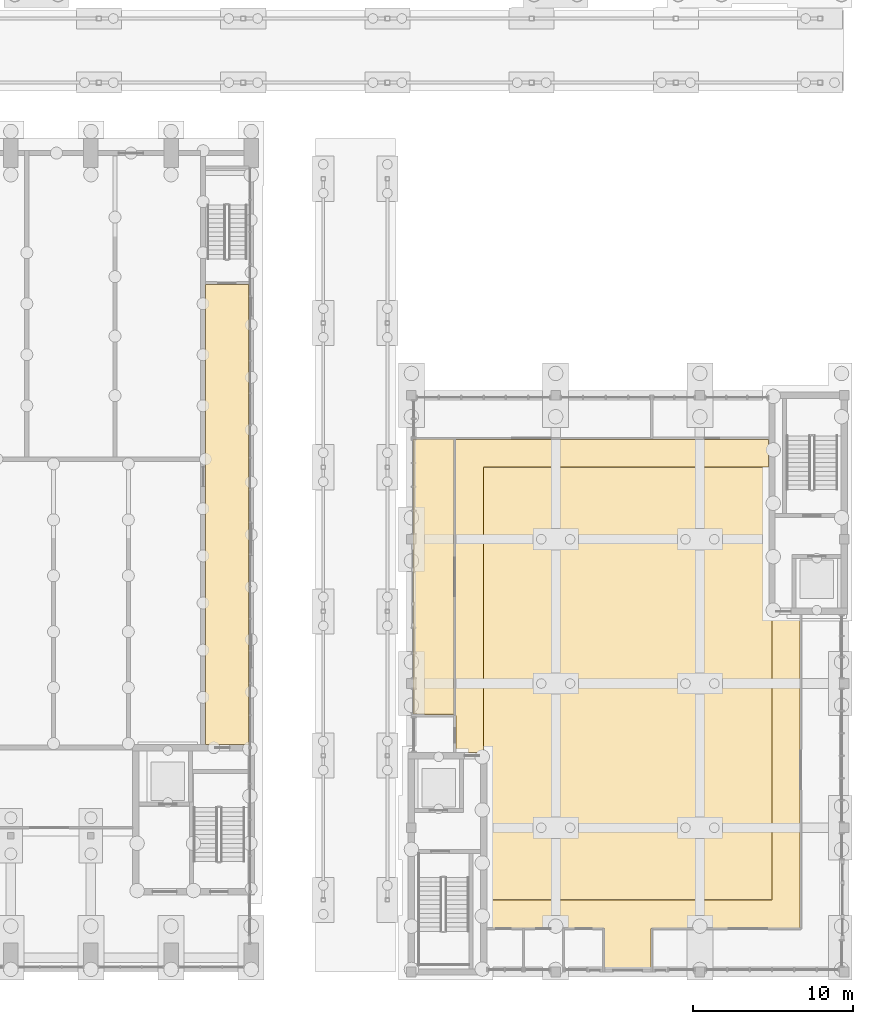
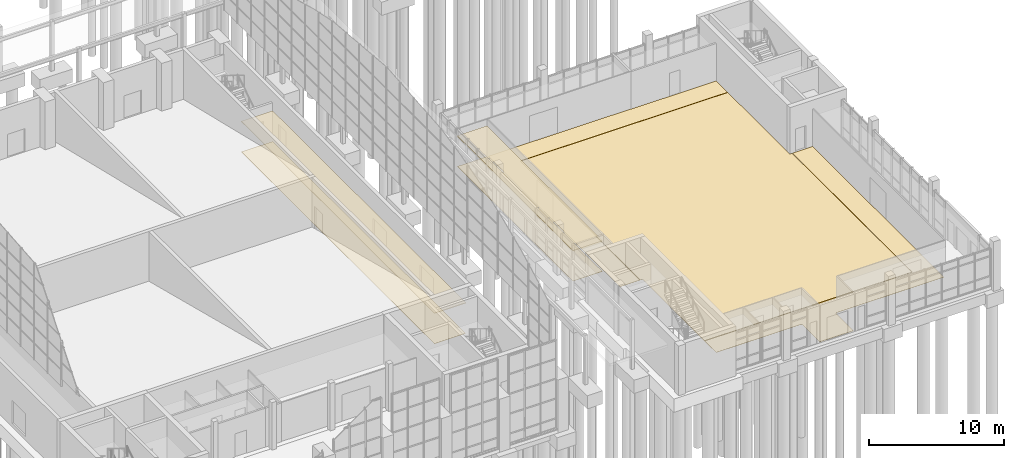
# One storey, part 86 of 106: 7 coverings.
"""IFC4 building model written with IfcOpenShell, lengths in metres."""

import ifcopenshell
import ifcopenshell.guid

model = None  # the IFC model being written
_history = None  # IfcOwnerHistory: only IFC2X3 demands one
_inside = {}  # id of a spatial element -> (the spatial element, [elements in it])
_under = {}  # id of a project, library or spatial element -> (it, [spatial elements below it])
_declared = {}  # id of a project -> (the project, [libraries it declares])
_typed = {}  # id of a type object -> (the type object, [elements of that type])
_made_of = {}  # id of a material, layer set ... -> (it, [elements and type objects made of it])


def new_model(schema):
    """Start an empty IFC model of exactly this schema.

    Asked for "IFC4X3", IfcOpenShell would pick the latest addendum, in which some entities
    have other attributes; the version numbers below select the first issue.
    IFC2X3 requires an IfcOwnerHistory on every rooted entity: one is made here for all.
    """
    global model, _history
    if schema == "IFC4X3":
        model = ifcopenshell.file(schema_version=(4, 3, 0, 0))
    else:
        model = ifcopenshell.file(schema=schema)
    _inside.clear()
    _under.clear()
    _declared.clear()
    _typed.clear()
    _made_of.clear()
    _history = None
    if model.schema == "IFC2X3":
        org = make("IfcOrganization", Name="unknown")
        user = make(
            "IfcPersonAndOrganization",
            ThePerson=make("IfcPerson", FamilyName="unknown"),
            TheOrganization=org,
        )
        app = make(
            "IfcApplication",
            ApplicationDeveloper=org,
            Version="unknown",
            ApplicationFullName="unknown",
            ApplicationIdentifier="unknown",
        )
        _history = make(
            "IfcOwnerHistory",
            OwningUser=user,
            OwningApplication=app,
            ChangeAction="ADDED",
            CreationDate=0,
        )
    return model


def make(cls, **values):
    """One entity of the class cls with the attributes given. An attribute that is None is left unset."""
    return model.create_entity(
        cls, **{name: value for name, value in values.items() if value is not None}
    )


def rooted(cls, **values):
    """An entity with a GlobalId (a new one), such as an element, a storey or a relation."""
    return make(cls, GlobalId=ifcopenshell.guid.new(), OwnerHistory=_history, **values)


def si_unit(unit_type, name, prefix=None):
    """IfcSIUnit, for example si_unit("LENGTHUNIT", "METRE", prefix="MILLI")."""
    return make("IfcSIUnit", UnitType=unit_type, Prefix=prefix, Name=name)


def assignment(units):
    """IfcUnitAssignment: the units of a project."""
    return None if units is None else make("IfcUnitAssignment", Units=units)


def point(xyz):
    """IfcCartesianPoint."""
    return None if xyz is None else make("IfcCartesianPoint", Coordinates=xyz)


def direction(xyz):
    """IfcDirection."""
    return None if xyz is None else make("IfcDirection", DirectionRatios=xyz)


def frame(location, z_axis=None, x_axis=None):
    """IfcAxis2Placement3D, a coordinate frame: its origin and axes. An axis left out is left unset."""
    return make(
        "IfcAxis2Placement3D",
        Location=point(location),
        Axis=direction(z_axis),
        RefDirection=direction(x_axis),
    )


def origin():
    """The frame at (0, 0, 0) with its axes left unset."""
    return frame((0.0, 0.0, 0.0))


def place(relative_to, where):
    """IfcLocalPlacement: puts the frame where relative to a parent placement (None: the world)."""
    return make(
        "IfcLocalPlacement", PlacementRelTo=relative_to, RelativePlacement=where
    )


def context(
    kind, dimensions, precision=None, world=None, true_north=None, identifier=None
):
    """IfcGeometricRepresentationContext, for example the 3D "Model" context."""
    return make(
        "IfcGeometricRepresentationContext",
        ContextIdentifier=identifier,
        ContextType=kind,
        CoordinateSpaceDimension=dimensions,
        Precision=precision,
        WorldCoordinateSystem=world,
        TrueNorth=true_north,
    )


def subcontext(parent, identifier, kind, view, scale=None):
    """IfcGeometricRepresentationSubContext, for example "Body" below "Model"."""
    return make(
        "IfcGeometricRepresentationSubContext",
        ContextIdentifier=identifier,
        ContextType=kind,
        ParentContext=parent,
        TargetScale=scale,
        TargetView=view,
    )


def project(units=None, contexts=None):
    """IfcProject with its units and contexts."""
    return rooted(
        "IfcProject",
        Name="project",
        RepresentationContexts=contexts,
        UnitsInContext=assignment(units),
    )


def spatial(cls, under=None, at=None, **own):
    """A site, building, storey or space (cls), placed at a placement, below another one or the project."""
    s = rooted(cls, ObjectPlacement=at, **own)
    if under is not None:
        _under.setdefault(under.id(), (under, []))[1].append(s)
    return s


def polyline(points):
    """IfcPolyline through the points."""
    return make("IfcPolyline", Points=[point(p) for p in points])


def outline(outer, holes=None, kind="AREA"):
    """IfcArbitraryClosedProfileDef: a profile drawn as a closed curve; with holes, ...WithVoids."""
    if holes is None:
        return make("IfcArbitraryClosedProfileDef", ProfileType=kind, OuterCurve=outer)
    return make(
        "IfcArbitraryProfileDefWithVoids",
        ProfileType=kind,
        OuterCurve=outer,
        InnerCurves=holes,
    )


def extrude(swept, where, along, depth):
    """IfcExtrudedAreaSolid: the profile swept, set in the frame where, extruded along a direction by depth."""
    return make(
        "IfcExtrudedAreaSolid",
        SweptArea=swept,
        Position=where,
        ExtrudedDirection=direction(along),
        Depth=depth,
    )


def shape(context_of_items, identifier, shape_type, items):
    """IfcShapeRepresentation: the items that make up one representation, for example the "Body"."""
    return make(
        "IfcShapeRepresentation",
        ContextOfItems=context_of_items,
        RepresentationIdentifier=identifier,
        RepresentationType=shape_type,
        Items=items,
    )


def material(Name=None, Category=None):
    """IfcMaterial."""
    return make("IfcMaterial", Name=Name, Category=Category)


def layer(
    of_material, thickness, ventilated=None, Name=None, Category=None, Priority=None
):
    """IfcMaterialLayer: one layer of a wall or slab, of a material (None: an air gap)."""
    return make(
        "IfcMaterialLayer",
        Material=of_material,
        LayerThickness=thickness,
        IsVentilated=ventilated,
        Name=Name,
        Category=Category,
        Priority=Priority,
    )


def layer_set(layers, Name=None):
    """IfcMaterialLayerSet."""
    return make("IfcMaterialLayerSet", MaterialLayers=layers, LayerSetName=Name)


def made_of(thing, what):
    """Note that an element or type object is made of a material, layer set ...; save() writes the relation."""
    if what is not None:
        _made_of.setdefault(what.id(), (what, []))[1].append(thing)
    return thing


def type_object(cls, material=None, **own):
    """A type object (cls), such as IfcWallType, which elements share."""
    return made_of(rooted(cls, **own), material)


def element(
    cls,
    number,
    at=None,
    inside=None,
    cuts=None,
    type_object=None,
    material=None,
    context=None,
    identifier="Body",
    shape_type=None,
    held_by="IfcProductDefinitionShape",
    body=None,
    shapes=None,
    **own,
):
    """One element of the class cls, such as IfcWall. Its Tag is "e" and its number.

    at: its placement. inside: the storey or other place that contains it. cuts: it is an
    opening in that element (IfcRelVoidsElement). A single representation is given by context,
    identifier, shape_type and body (its items); several are given by shapes. held_by: the class
    of the entity that holds the representations. save() writes the other relations.
    """
    e = rooted(cls, Tag="e%d" % number, ObjectPlacement=at, **own)
    if body is not None:
        shapes = [shape(context, identifier, shape_type, body)]
    if shapes is not None:
        e.Representation = make(held_by, Representations=shapes)
    if inside is not None:
        _inside.setdefault(inside.id(), (inside, []))[1].append(e)
    if cuts is not None:
        rooted(
            "IfcRelVoidsElement", RelatingBuildingElement=cuts, RelatedOpeningElement=e
        )
    if type_object is not None:
        _typed.setdefault(type_object.id(), (type_object, []))[1].append(e)
    return made_of(e, material)


def aggregate(whole, parts):
    """IfcRelAggregates: a whole, such as a stair, and the parts it consists of."""
    return rooted("IfcRelAggregates", RelatingObject=whole, RelatedObjects=parts)


def save(model, path):
    """Write the relations noted so far, then the file.

    IfcRelAggregates (storeys below a building ...), IfcRelContainedInSpatialStructure (elements
    in a storey), IfcRelDefinesByType, IfcRelAssociatesMaterial and IfcRelDeclares: one each for
    every whole, place, type object, material and project.
    """
    for whole, parts in _under.values():
        aggregate(whole, parts)
    for where, things in _inside.values():
        rooted(
            "IfcRelContainedInSpatialStructure",
            RelatedElements=things,
            RelatingStructure=where,
        )
    for kind, things in _typed.values():
        rooted("IfcRelDefinesByType", RelatedObjects=things, RelatingType=kind)
    for what, things in _made_of.values():
        rooted("IfcRelAssociatesMaterial", RelatedObjects=things, RelatingMaterial=what)
    for by, libraries in _declared.values():
        rooted("IfcRelDeclares", RelatingContext=by, RelatedDefinitions=libraries)
    model.write(path)


model = new_model("IFC4")

# Units and contexts
model_context = context("Model", 3, precision=1e-05, world=origin(), true_north=direction((0.0, 1.0)))
body_context = subcontext(model_context, "Body", "Model", "MODEL_VIEW")
ifc_project = project(units=[si_unit("LENGTHUNIT", "METRE"), si_unit("AREAUNIT", "SQUARE_METRE"), si_unit("VOLUMEUNIT", "CUBIC_METRE"), si_unit("PLANEANGLEUNIT", "RADIAN"), si_unit("MASSUNIT", "GRAM", prefix="KILO")], contexts=[model_context])

# Site, building, storey
site_placement = place(None, origin())
site = spatial("IfcSite", under=ifc_project, at=site_placement, CompositionType="ELEMENT")
building_placement = place(site_placement, origin())
building = spatial("IfcBuilding", under=site, at=building_placement, Name="Merrow Basin Faculty of Sciences", CompositionType="ELEMENT")
storey_placement = place(building_placement, origin())
storey = spatial("IfcBuildingStorey", under=building, at=storey_placement, Name="L00", CompositionType="ELEMENT", Elevation=0.0)

# Coverings
ifc_material_1 = material(Name="Carpet tile floor")
ifc_layer_1 = layer(ifc_material_1, 0.02001953125)
ifc_layer_set_1 = layer_set([ifc_layer_1], Name="Carpet tile floor")
covering_type_1 = type_object("IfcCoveringType", Name="Carpet tile floor", PredefinedType="FLOORING", material=ifc_layer_set_1)
covering_1_placement = place(storey_placement, origin())
element("IfcCovering", 1, at=covering_1_placement, inside=storey, type_object=covering_type_1, Name="Floor finish L00-A-014", PredefinedType="FLOORING", context=body_context, shape_type="SweptSolid", body=[
    extrude(outline(polyline([(45.110107421875, 33.239990234375), (47.639892578125, 33.239990234375), (47.639892578125, 16.0849609375), (45.110107421875, 16.0849609375), (45.110107421875, 33.239990234375)])), origin(), (0.0, 0.0, 1.0), 0.02001953125),
])
covering_2_placement = place(storey_placement, origin())
element("IfcCovering", 2, at=covering_2_placement, inside=storey, type_object=covering_type_1, Name="Floor finish L00-A-017", PredefinedType="FLOORING", context=body_context, shape_type="SweptSolid", body=[
    extrude(outline(polyline([(49.510009765625, 31.489990234375), (67.2900390625, 31.489990234375), (67.2900390625, 22.2900390625), (67.489990234375, 22.2900390625), (67.489990234375, 4.510009765625), (49.7099609375, 4.510009765625), (49.7099609375, 13.7099609375), (49.510009765625, 13.7099609375), (49.510009765625, 31.489990234375)])), origin(), (0.0, 0.0, 1.0), 0.02001953125),
])
ifc_material_2 = material(Name="Polished terrazzo floor")
ifc_layer_2 = layer(ifc_material_2, 0.02001953125)
ifc_layer_set_2 = layer_set([ifc_layer_2], Name="Polished terrazzo floor")
covering_type_2 = type_object("IfcCoveringType", Name="Polished terrazzo floor", PredefinedType="FLOORING", material=ifc_layer_set_2)
covering_3_placement = place(storey_placement, origin())
element("IfcCovering", 3, at=covering_3_placement, inside=storey, type_object=covering_type_2, Name="Floor finish L00-H-011", PredefinedType="FLOORING", context=body_context, shape_type="SweptSolid", body=[
    extrude(outline(polyline([(34.840087890625, 42.889892578125), (34.840087890625, 14.2099609375), (32.159912109375, 14.2099609375), (32.159912109375, 42.889892578125), (34.840087890625, 42.889892578125)])), origin(), (0.0, 0.0, 1.0), 0.02001953125),
])
covering_4_placement = place(storey_placement, origin())
element("IfcCovering", 4, at=covering_4_placement, inside=storey, type_object=covering_type_2, Name="Floor finish L00-A-015", PredefinedType="FLOORING", context=body_context, shape_type="SweptSolid", body=[
    extrude(outline(polyline([(49.489990234375, 31.510009765625), (49.489990234375, 13.7099609375), (47.784912109375, 13.7099609375), (47.784912109375, 16.010009765625), (47.760009765625, 16.010009765625), (47.760009765625, 33.239990234375), (59.989990234375, 33.239990234375), (59.989990234375, 33.215087890625), (67.2900390625, 33.215087890625), (67.2900390625, 31.510009765625), (49.489990234375, 31.510009765625)])), origin(), (0.0, 0.0, 1.0), 0.02001953125),
])
covering_5_placement = place(storey_placement, origin())
element("IfcCovering", 5, at=covering_5_placement, inside=storey, type_object=covering_type_2, Name="Floor finish L00-A-016", PredefinedType="FLOORING", context=body_context, shape_type="SweptSolid", body=[
    extrude(outline(polyline([(67.510009765625, 4.489990234375), (67.510009765625, 22.2900390625), (69.239990234375, 22.2900390625), (69.239990234375, 2.760009765625), (59.989990234375, 2.760009765625), (59.989990234375, 2.7099609375), (59.93994140625, 2.7099609375), (59.93994140625, 0.110107421875), (57.06005859375, 0.110107421875), (57.06005859375, 2.7099609375), (57.010009765625, 2.7099609375), (57.010009765625, 2.760009765625), (49.7099609375, 2.760009765625), (49.7099609375, 4.489990234375), (67.510009765625, 4.489990234375)])), origin(), (0.0, 0.0, 1.0), 0.02001953125),
])
ifc_material_3 = material(Name="Mineral fibre ceiling tile")
ifc_layer_3 = layer(ifc_material_3, 0.050048828125)
ifc_layer_set_3 = layer_set([ifc_layer_3], Name="Suspended acoustic ceiling tile")
covering_type_3 = type_object("IfcCoveringType", Name="Suspended acoustic ceiling tile", PredefinedType="CEILING", material=ifc_layer_set_3)
covering_6_placement = place(storey_placement, frame((0.0, 0.0, 2.75)))
element("IfcCovering", 6, at=covering_6_placement, inside=storey, type_object=covering_type_3, Name="Ceiling L00-H-011", PredefinedType="CEILING", context=body_context, shape_type="SweptSolid", body=[
    extrude(outline(polyline([(34.85009765625, 42.89990234375), (34.85009765625, 14.199951171875), (32.14990234375, 14.199951171875), (32.14990234375, 42.89990234375), (34.85009765625, 42.89990234375)])), origin(), (0.0, 0.0, 1.0), 0.050048828125),
])
covering_7_placement = place(storey_placement, frame((0.0, 0.0, 2.75)))
element("IfcCovering", 7, at=covering_7_placement, inside=storey, type_object=covering_type_3, Name="Ceiling L00-A-014", PredefinedType="CEILING", context=body_context, shape_type="SweptSolid", body=[
    extrude(outline(polyline([(45.10009765625, 33.25), (47.64990234375, 33.25), (47.64990234375, 16.074951171875), (45.10009765625, 16.074951171875), (45.10009765625, 33.25)])), origin(), (0.0, 0.0, 1.0), 0.050048828125),
])

save(model, "model.ifc")
